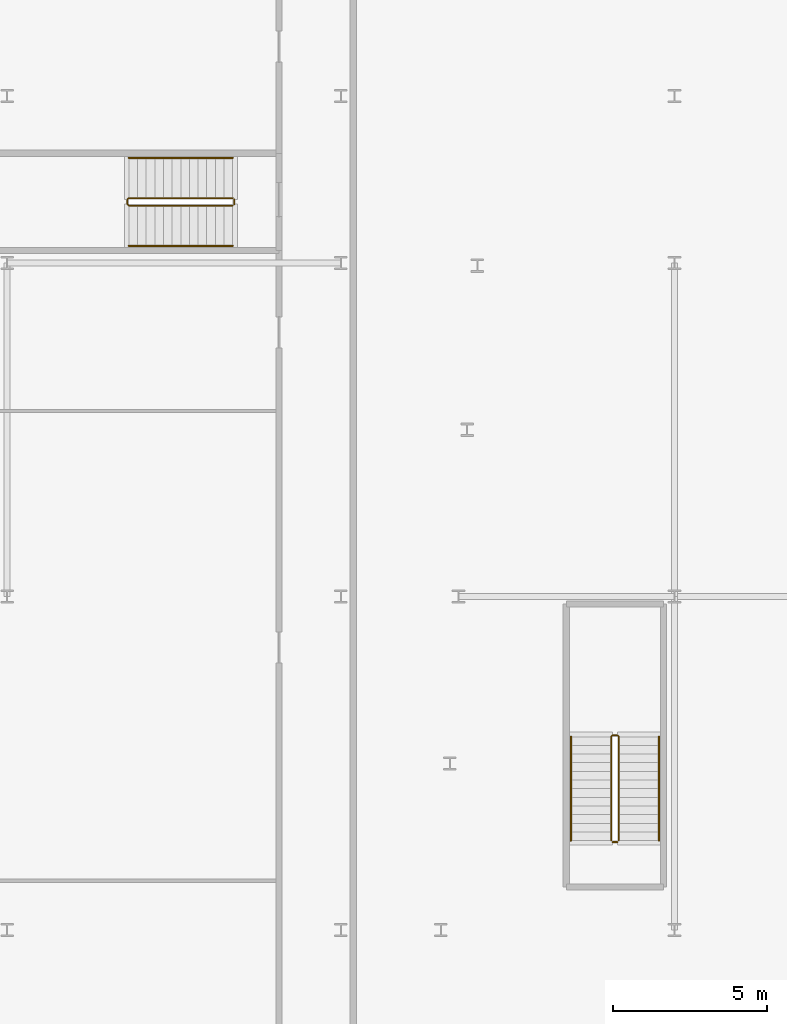
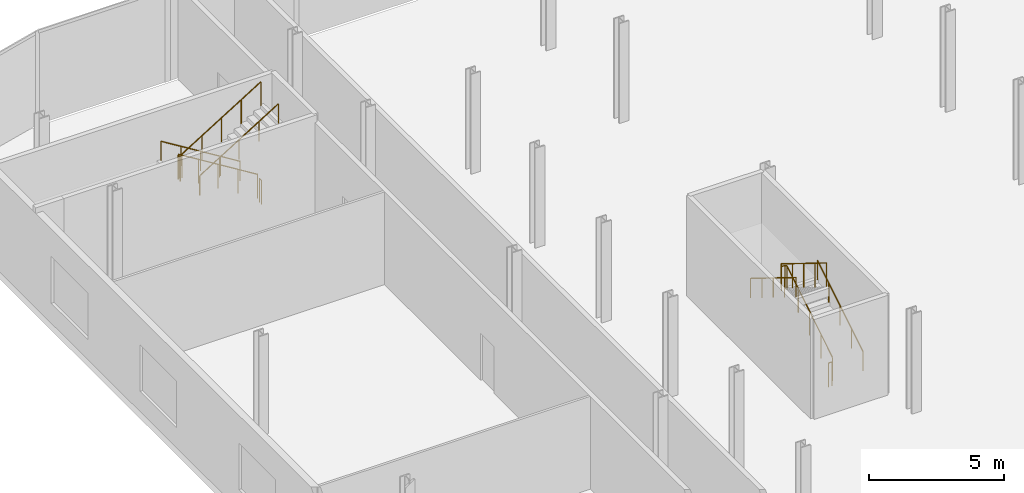
# One storey, part 45 of 47: 8 railings.
"""IFC4 building model written with IfcOpenShell, lengths in metres."""

from ifc_helpers import new_model, si_unit, direction, frame, origin, origin_2d, place, context, subcontext, project, spatial, circle, extrude, material, type_object, element, save


model = new_model("IFC4")

# Units and contexts
model_context = context("Model", 3, precision=1e-05, world=origin(), true_north=direction((0.0, 1.0)))
body_context = subcontext(model_context, "Body", "Model", "MODEL_VIEW")
ifc_project = project(units=[si_unit("LENGTHUNIT", "METRE"), si_unit("AREAUNIT", "SQUARE_METRE"), si_unit("VOLUMEUNIT", "CUBIC_METRE"), si_unit("PLANEANGLEUNIT", "RADIAN"), si_unit("MASSUNIT", "GRAM", prefix="KILO")], contexts=[model_context])

# Site, building, storey
site_placement = place(None, origin())
site = spatial("IfcSite", under=ifc_project, at=site_placement, CompositionType="ELEMENT")
building_placement = place(site_placement, origin())
building = spatial("IfcBuilding", under=site, at=building_placement, Name="Kheshtan School and Residences Tower", CompositionType="ELEMENT")
storey_placement = place(building_placement, frame((0.0, 0.0, 12.5)))
storey = spatial("IfcBuildingStorey", under=building, at=storey_placement, Name="L02", CompositionType="ELEMENT", Elevation=12.5)

# Railings
ifc_material_1 = material(Name="Stainless steel balustrade", Category="steel")
railing_type_1 = type_object("IfcRailingType", Name="Stair guard 1100", PredefinedType="GUARDRAIL", material=ifc_material_1)
railing_1_placement = place(storey_placement, frame((35.0, 80.89990234375, 0.173095703125)))
element("IfcRailing", 1, at=railing_1_placement, inside=storey, type_object=railing_type_1, Name="L02 ST3 stair guard 1", PredefinedType="GUARDRAIL", context=body_context, shape_type="SweptSolid", body=[
    extrude(circle(Radius=0.02392578125, at=origin_2d()), frame((0.0, 0.0, 1.076171875), z_axis=(0.0, 0.850623216509, 0.525775754039), x_axis=(-1.0, 0.0, 0.0)), (0.0, 0.0, 1.0), 3.9501953125),
    extrude(circle(Radius=0.02392578125, at=origin_2d()), frame((0.0, 3.360107421875, 3.15283203125), z_axis=(-0.707106781187, 0.707106781187, 0.0), x_axis=(-0.707106781187, -0.707106781187, 0.0)), (0.0, 0.0, 1.0), 0.07080078125),
    extrude(circle(Radius=0.02392578125, at=origin_2d()), frame((-0.050048828125, 3.41015625, 3.15283203125), z_axis=(-1.0, 0.0, 0.0), x_axis=(0.0, -1.0, 0.0)), (0.0, 0.0, 1.0), 0.14990234375),
    extrude(circle(Radius=0.02392578125, at=origin_2d()), frame((-0.199951171875, 3.41015625, 3.15283203125), z_axis=(-0.267629722418, -0.267629722418, 0.925607186314), x_axis=(0.707106781187, -0.707106781187, 0.0)), (0.0, 0.0, 1.0), 0.18701171875),
    extrude(circle(Radius=0.02392578125, at=origin_2d()), frame((-0.25, 3.360107421875, 3.326171875), z_axis=(0.0, -0.850623216509, 0.525775754039), x_axis=(1.0, 0.0, 0.0)), (0.0, 0.0, 1.0), 3.9501953125),
    extrude(circle(Radius=0.02099609375, at=origin_2d()), origin(), (0.0, 0.0, 1.0), 1.052001953125),
    extrude(circle(Radius=0.02099609375, at=origin_2d()), frame((0.0, 0.840087890625, 0.519287109375)), (0.0, 0.0, 1.0), 1.052001953125),
    extrude(circle(Radius=0.02099609375, at=origin_2d()), frame((0.0, 1.68017578125, 1.03857421875)), (0.0, 0.0, 1.0), 1.052001953125),
    extrude(circle(Radius=0.02099609375, at=origin_2d()), frame((0.0, 2.52001953125, 1.5576171875)), (0.0, 0.0, 1.0), 1.052001953125),
    extrude(circle(Radius=0.02099609375, at=origin_2d()), frame((0.0, 3.360107421875, 2.076904296875)), (0.0, 0.0, 1.0), 1.052001953125),
    extrude(circle(Radius=0.02099609375, at=origin_2d()), frame((-0.050048828125, 3.41015625, 2.076904296875)), (0.0, 0.0, 1.0), 1.052001953125),
    extrude(circle(Radius=0.02099609375, at=origin_2d()), frame((-0.199951171875, 3.41015625, 2.076904296875)), (0.0, 0.0, 1.0), 1.052001953125),
    extrude(circle(Radius=0.02099609375, at=origin_2d()), frame((-0.25, 3.360107421875, 2.25)), (0.0, 0.0, 1.0), 1.052001953125),
    extrude(circle(Radius=0.02099609375, at=origin_2d()), frame((-0.25, 2.52001953125, 2.769287109375)), (0.0, 0.0, 1.0), 1.052001953125),
    extrude(circle(Radius=0.02099609375, at=origin_2d()), frame((-0.25, 1.68017578125, 3.28857421875)), (0.0, 0.0, 1.0), 1.052001953125),
    extrude(circle(Radius=0.02099609375, at=origin_2d()), frame((-0.25, 0.840087890625, 3.8076171875)), (0.0, 0.0, 1.0), 1.052001953125),
    extrude(circle(Radius=0.02099609375, at=origin_2d()), frame((-0.25, 0.0, 4.326904296875)), (0.0, 0.0, 1.0), 1.052001953125),
])
railing_2_placement = place(storey_placement, frame((34.949951171875, 80.85009765625, 0.0)))
element("IfcRailing", 2, at=railing_2_placement, inside=storey, type_object=railing_type_1, Name="L02 ST3 stair guard 2", PredefinedType="GUARDRAIL", context=body_context, shape_type="SweptSolid", body=[
    extrude(circle(Radius=0.02392578125, at=origin_2d()), frame((0.0, 0.0, 1.076171875), z_axis=(-1.0, 0.0, 0.0), x_axis=(0.0, -1.0, 0.0)), (0.0, 0.0, 1.0), 0.14990234375),
    extrude(circle(Radius=0.02099609375, at=origin_2d()), origin(), (0.0, 0.0, 1.0), 1.052001953125),
    extrude(circle(Radius=0.02099609375, at=origin_2d()), frame((-0.14990234375, 0.0, 0.0)), (0.0, 0.0, 1.0), 1.052001953125),
])
railing_3_placement = place(storey_placement, frame((22.5, 101.699951171875, 0.173095703125)))
element("IfcRailing", 3, at=railing_3_placement, inside=storey, type_object=railing_type_1, Name="L02 PS-012-100 stair guard 1", PredefinedType="GUARDRAIL", context=body_context, shape_type="SweptSolid", body=[
    extrude(circle(Radius=0.02392578125, at=origin_2d()), frame((0.0, 0.0, 1.076171875), z_axis=(-0.850623216509, 0.0, 0.525775754039), x_axis=(0.0, -1.0, 0.0)), (0.0, 0.0, 1.0), 3.9501953125),
    extrude(circle(Radius=0.02392578125, at=origin_2d()), frame((-3.360107421875, 0.0, 3.15283203125), z_axis=(-0.705375805398, -0.708833529934, 0.0), x_axis=(0.708833529934, -0.705375805398, 0.0)), (0.0, 0.0, 1.0), 0.070556640625),
    extrude(circle(Radius=0.02392578125, at=origin_2d()), frame((-3.409912109375, -0.050048828125, 3.15283203125), z_axis=(0.0, -1.0, 0.0), x_axis=(1.0, 0.0, 0.0)), (0.0, 0.0, 1.0), 0.14990234375),
    extrude(circle(Radius=0.02392578125, at=origin_2d()), frame((-3.409912109375, -0.199951171875, 3.15283203125), z_axis=(0.266417085129, -0.267723051232, 0.925929967433), x_axis=(0.708833529934, 0.705375805398, 0.0)), (0.0, 0.0, 1.0), 0.18701171875),
    extrude(circle(Radius=0.02392578125, at=origin_2d()), frame((-3.360107421875, -0.25, 3.326171875), z_axis=(0.850623216509, 0.0, 0.525775754039), x_axis=(0.0, 1.0, 0.0)), (0.0, 0.0, 1.0), 3.9501953125),
    extrude(circle(Radius=0.02099609375, at=origin_2d()), origin(), (0.0, 0.0, 1.0), 1.052001953125),
    extrude(circle(Radius=0.02099609375, at=origin_2d()), frame((-0.840087890625, 0.0, 0.519287109375)), (0.0, 0.0, 1.0), 1.052001953125),
    extrude(circle(Radius=0.02099609375, at=origin_2d()), frame((-1.68017578125, 0.0, 1.03857421875)), (0.0, 0.0, 1.0), 1.052001953125),
    extrude(circle(Radius=0.02099609375, at=origin_2d()), frame((-2.52001953125, 0.0, 1.5576171875)), (0.0, 0.0, 1.0), 1.052001953125),
    extrude(circle(Radius=0.02099609375, at=origin_2d()), frame((-3.360107421875, 0.0, 2.076904296875)), (0.0, 0.0, 1.0), 1.052001953125),
    extrude(circle(Radius=0.02099609375, at=origin_2d()), frame((-3.409912109375, -0.050048828125, 2.076904296875)), (0.0, 0.0, 1.0), 1.052001953125),
    extrude(circle(Radius=0.02099609375, at=origin_2d()), frame((-3.409912109375, -0.199951171875, 2.076904296875)), (0.0, 0.0, 1.0), 1.052001953125),
    extrude(circle(Radius=0.02099609375, at=origin_2d()), frame((-3.360107421875, -0.25, 2.25)), (0.0, 0.0, 1.0), 1.052001953125),
    extrude(circle(Radius=0.02099609375, at=origin_2d()), frame((-2.52001953125, -0.25, 2.769287109375)), (0.0, 0.0, 1.0), 1.052001953125),
    extrude(circle(Radius=0.02099609375, at=origin_2d()), frame((-1.68017578125, -0.25, 3.28857421875)), (0.0, 0.0, 1.0), 1.052001953125),
    extrude(circle(Radius=0.02099609375, at=origin_2d()), frame((-0.840087890625, -0.25, 3.8076171875)), (0.0, 0.0, 1.0), 1.052001953125),
    extrude(circle(Radius=0.02099609375, at=origin_2d()), frame((0.0, -0.25, 4.326904296875)), (0.0, 0.0, 1.0), 1.052001953125),
])
railing_4_placement = place(storey_placement, frame((22.550048828125, 101.64990234375, 0.0)))
element("IfcRailing", 4, at=railing_4_placement, inside=storey, type_object=railing_type_1, Name="L02 PS-012-100 stair guard 2", PredefinedType="GUARDRAIL", context=body_context, shape_type="SweptSolid", body=[
    extrude(circle(Radius=0.02392578125, at=origin_2d()), frame((0.0, 0.0, 1.076171875), z_axis=(0.0, -1.0, 0.0), x_axis=(1.0, 0.0, 0.0)), (0.0, 0.0, 1.0), 0.14990234375),
    extrude(circle(Radius=0.02099609375, at=origin_2d()), origin(), (0.0, 0.0, 1.0), 1.052001953125),
    extrude(circle(Radius=0.02099609375, at=origin_2d()), frame((0.0, -0.14990234375, 0.0)), (0.0, 0.0, 1.0), 1.052001953125),
])
ifc_material_2 = material(Name="Stainless steel handrail", Category="steel")
railing_type_2 = type_object("IfcRailingType", Name="Stair handrail 900", PredefinedType="HANDRAIL", material=ifc_material_2)
railing_5_placement = place(storey_placement, frame((36.300048828125, 80.89990234375, 0.173095703125)))
element("IfcRailing", 5, at=railing_5_placement, inside=storey, type_object=railing_type_2, Name="L02 ST3 stair handrail 1", PredefinedType="HANDRAIL", context=body_context, shape_type="SweptSolid", body=[
    extrude(circle(Radius=0.02392578125, at=origin_2d()), frame((0.0, 0.0, 0.8759765625), z_axis=(0.0, 0.850623216509, 0.525775754039), x_axis=(-1.0, 0.0, 0.0)), (0.0, 0.0, 1.0), 3.9501953125),
    extrude(circle(Radius=0.02099609375, at=origin_2d()), origin(), (0.0, 0.0, 1.0), 0.851806640625),
    extrude(circle(Radius=0.02099609375, at=origin_2d()), frame((0.0, 0.840087890625, 0.519287109375)), (0.0, 0.0, 1.0), 0.851806640625),
    extrude(circle(Radius=0.02099609375, at=origin_2d()), frame((0.0, 1.68017578125, 1.03857421875)), (0.0, 0.0, 1.0), 0.851806640625),
    extrude(circle(Radius=0.02099609375, at=origin_2d()), frame((0.0, 2.52001953125, 1.5576171875)), (0.0, 0.0, 1.0), 0.851806640625),
    extrude(circle(Radius=0.02099609375, at=origin_2d()), frame((0.0, 3.360107421875, 2.076904296875)), (0.0, 0.0, 1.0), 0.851806640625),
])
railing_6_placement = place(storey_placement, frame((33.449951171875, 84.260009765625, 2.423095703125)))
element("IfcRailing", 6, at=railing_6_placement, inside=storey, type_object=railing_type_2, Name="L02 ST3 stair handrail 2", PredefinedType="HANDRAIL", context=body_context, shape_type="SweptSolid", body=[
    extrude(circle(Radius=0.02392578125, at=origin_2d()), frame((0.0, 0.0, 0.8759765625), z_axis=(0.0, -0.850623216509, 0.525775754039), x_axis=(1.0, 0.0, 0.0)), (0.0, 0.0, 1.0), 3.9501953125),
    extrude(circle(Radius=0.02099609375, at=origin_2d()), origin(), (0.0, 0.0, 1.0), 0.851806640625),
    extrude(circle(Radius=0.02099609375, at=origin_2d()), frame((0.0, -0.840087890625, 0.519287109375)), (0.0, 0.0, 1.0), 0.851806640625),
    extrude(circle(Radius=0.02099609375, at=origin_2d()), frame((0.0, -1.68017578125, 1.03857421875)), (0.0, 0.0, 1.0), 0.851806640625),
    extrude(circle(Radius=0.02099609375, at=origin_2d()), frame((0.0, -2.52001953125, 1.5576171875)), (0.0, 0.0, 1.0), 0.851806640625),
    extrude(circle(Radius=0.02099609375, at=origin_2d()), frame((0.0, -3.360107421875, 2.076904296875)), (0.0, 0.0, 1.0), 0.851806640625),
])
railing_7_placement = place(storey_placement, frame((22.5, 103.0, 0.173095703125)))
element("IfcRailing", 7, at=railing_7_placement, inside=storey, type_object=railing_type_2, Name="L02 PS-012-100 stair handrail 1", PredefinedType="HANDRAIL", context=body_context, shape_type="SweptSolid", body=[
    extrude(circle(Radius=0.02392578125, at=origin_2d()), frame((0.0, 0.0, 0.8759765625), z_axis=(-0.850623216509, 0.0, 0.525775754039), x_axis=(0.0, -1.0, 0.0)), (0.0, 0.0, 1.0), 3.9501953125),
    extrude(circle(Radius=0.02099609375, at=origin_2d()), origin(), (0.0, 0.0, 1.0), 0.851806640625),
    extrude(circle(Radius=0.02099609375, at=origin_2d()), frame((-0.840087890625, 0.0, 0.519287109375)), (0.0, 0.0, 1.0), 0.851806640625),
    extrude(circle(Radius=0.02099609375, at=origin_2d()), frame((-1.68017578125, 0.0, 1.03857421875)), (0.0, 0.0, 1.0), 0.851806640625),
    extrude(circle(Radius=0.02099609375, at=origin_2d()), frame((-2.52001953125, 0.0, 1.5576171875)), (0.0, 0.0, 1.0), 0.851806640625),
    extrude(circle(Radius=0.02099609375, at=origin_2d()), frame((-3.360107421875, 0.0, 2.076904296875)), (0.0, 0.0, 1.0), 0.851806640625),
])
railing_8_placement = place(storey_placement, frame((19.139892578125, 100.14990234375, 2.423095703125)))
element("IfcRailing", 8, at=railing_8_placement, inside=storey, type_object=railing_type_2, Name="L02 PS-012-100 stair handrail 2", PredefinedType="HANDRAIL", context=body_context, shape_type="SweptSolid", body=[
    extrude(circle(Radius=0.02392578125, at=origin_2d()), frame((0.0, 0.0, 0.8759765625), z_axis=(0.850623216509, 0.0, 0.525775754039), x_axis=(0.0, 1.0, 0.0)), (0.0, 0.0, 1.0), 3.9501953125),
    extrude(circle(Radius=0.02099609375, at=origin_2d()), origin(), (0.0, 0.0, 1.0), 0.851806640625),
    extrude(circle(Radius=0.02099609375, at=origin_2d()), frame((0.840087890625, 0.0, 0.519287109375)), (0.0, 0.0, 1.0), 0.851806640625),
    extrude(circle(Radius=0.02099609375, at=origin_2d()), frame((1.68017578125, 0.0, 1.03857421875)), (0.0, 0.0, 1.0), 0.851806640625),
    extrude(circle(Radius=0.02099609375, at=origin_2d()), frame((2.52001953125, 0.0, 1.5576171875)), (0.0, 0.0, 1.0), 0.851806640625),
    extrude(circle(Radius=0.02099609375, at=origin_2d()), frame((3.360107421875, 0.0, 2.076904296875)), (0.0, 0.0, 1.0), 0.851806640625),
])

save(model, "model.ifc")
